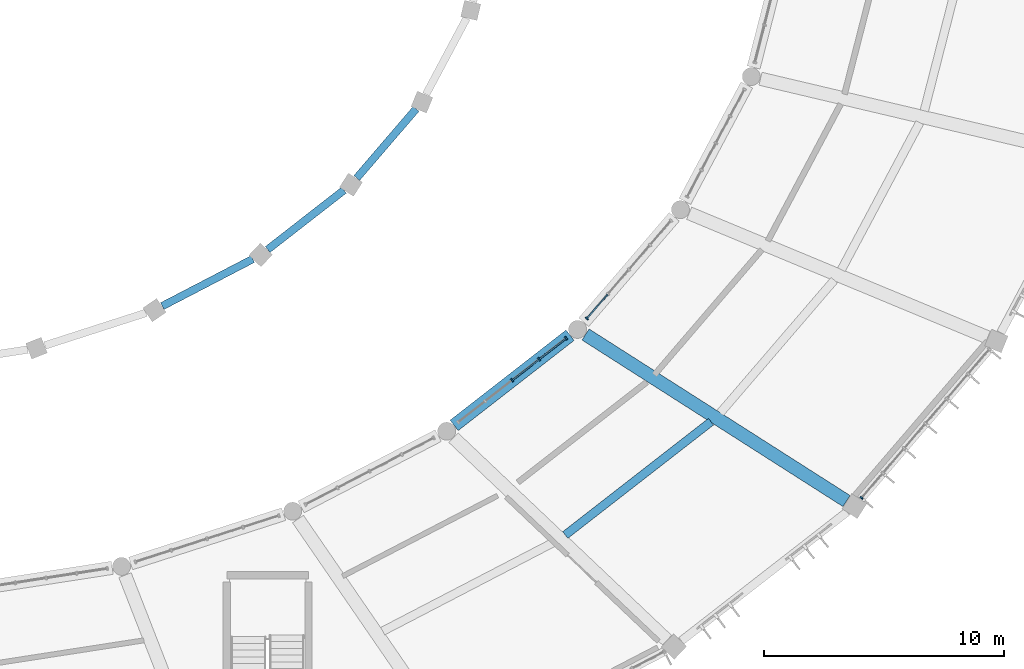
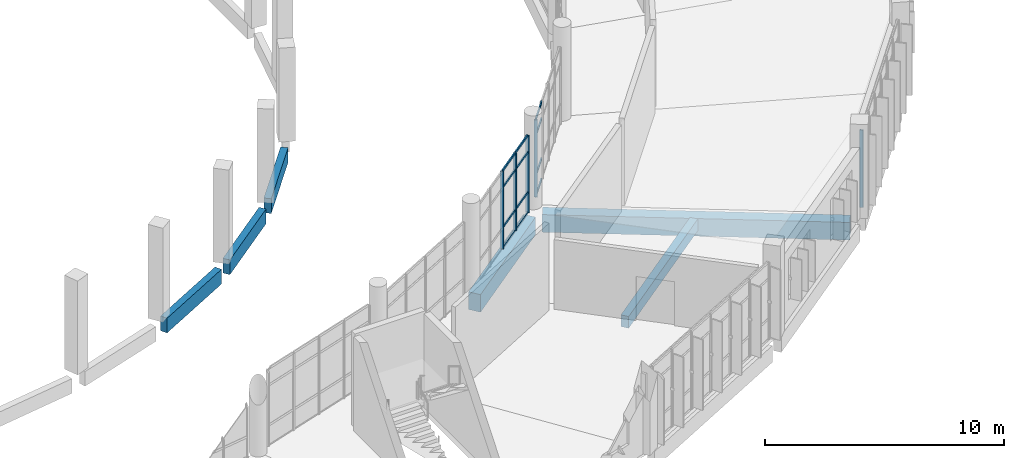
# One storey, part 38 of 179: 17 members, 6 beams, 3 elements without a shape of their own.
"""IFC4 building model written with IfcOpenShell, lengths in metres."""

from ifc_helpers import new_model, si_unit, direction, frame, origin, origin_2d, place, context, subcontext, project, spatial, rectangle, extrude, material, layer, layer_set, material_profile, profile_set, type_object, element, aggregate, save


model = new_model("IFC4")

# Units and contexts
model_context = context("Model", 3, precision=1e-05, world=origin(), true_north=direction((0.0, 1.0)))
body_context = subcontext(model_context, "Body", "Model", "MODEL_VIEW")
ifc_project = project(units=[si_unit("LENGTHUNIT", "METRE"), si_unit("AREAUNIT", "SQUARE_METRE"), si_unit("VOLUMEUNIT", "CUBIC_METRE"), si_unit("PLANEANGLEUNIT", "RADIAN"), si_unit("MASSUNIT", "GRAM", prefix="KILO")], contexts=[model_context])

# Site, building, storey
site_placement = place(None, origin())
site = spatial("IfcSite", under=ifc_project, at=site_placement, CompositionType="ELEMENT")
building_placement = place(site_placement, origin())
building = spatial("IfcBuilding", under=site, at=building_placement, Name="Corvandel Quay Wholesale Market", CompositionType="ELEMENT")
storey_placement = place(building_placement, frame((0.0, 0.0, 6.0)))
storey = spatial("IfcBuildingStorey", under=building, at=storey_placement, Name="L01", CompositionType="ELEMENT", Elevation=6.0)

# Curtain wall, members
ifc_material_1 = material(Name="Bronze anodised aluminium and low-E insulated glazing", Category="aluminium")
ifc_layer_1 = layer(ifc_material_1, 0.18603515625)
ifc_layer_set_1 = layer_set([ifc_layer_1], Name="Bronze anodised aluminium and low-E insulated glazing")
curtain_wall_type_1 = type_object("IfcCurtainWallType", Name="Stick Curtain Wall System CW18 H4620", PredefinedType="NOTDEFINED", material=ifc_layer_set_1)
curtain_wall_1_placement = place(storey_placement, origin())
curtain_wall_1 = element("IfcCurtainWall", 1, at=curtain_wall_1_placement, inside=storey, type_object=curtain_wall_type_1, Name="Curtain Wall CW-0082", PredefinedType="NOTDEFINED")
ifc_material_2 = material(Name="Anodised aluminium 6063-T6", Category="aluminium")
ifc_material_profile_1 = material_profile(ifc_material_2, rectangle(XDim=0.06494140625, YDim=0.14990234375, at=origin_2d()), Name="ALU-MUL-65x150")
ifc_profile_set_1 = profile_set([ifc_material_profile_1], Name="Anodised aluminium 6063-T6")
member_type_1 = type_object("IfcMemberType", Name="Curtain Wall Mullion ML02 65x150", PredefinedType="MULLION", material=ifc_profile_set_1)
member_1_placement = place(storey_placement, frame((141.68359375, 20.468505859375, 0.0), z_axis=(0.0, 0.0, 1.0), x_axis=(0.789405615633, 0.613871952452, 0.0)))
member_1 = element("IfcMember", 2, at=member_1_placement, type_object=member_type_1, Name="Mullion CW-0082-M02", PredefinedType="MULLION", context=body_context, shape_type="SweptSolid", body=[
    extrude(rectangle(XDim=0.06494140625, YDim=0.14990234375, at=origin_2d()), origin(), (0.0, 0.0, 1.0), 3.949951171875),
])
member_2_placement = place(storey_placement, frame((142.809814453125, 21.344482421875, 0.0), z_axis=(0.0, 0.0, 1.0), x_axis=(0.789405615633, 0.613871952452, 0.0)))
member_2 = element("IfcMember", 3, at=member_2_placement, type_object=member_type_1, Name="Mullion CW-0082-M03", PredefinedType="MULLION", context=body_context, shape_type="SweptSolid", body=[
    extrude(rectangle(XDim=0.06494140625, YDim=0.14990234375, at=origin_2d()), origin(), (0.0, 0.0, 1.0), 3.949951171875),
])
member_3_placement = place(storey_placement, frame((143.936279296875, 22.220703125, 0.0), z_axis=(0.0, 0.0, 1.0), x_axis=(0.789405615633, 0.613871952452, 0.0)))
member_3 = element("IfcMember", 4, at=member_3_placement, type_object=member_type_1, Name="Mullion CW-0082-M04", PredefinedType="MULLION", context=body_context, shape_type="SweptSolid", body=[
    extrude(rectangle(XDim=0.06494140625, YDim=0.14990234375, at=origin_2d()), origin(), (0.0, 0.0, 1.0), 3.949951171875),
])

# Curtain wall, member
ifc_layer_2 = layer(ifc_material_1, 0.14990234375)
ifc_layer_set_2 = layer_set([ifc_layer_2], Name="Bronze anodised aluminium and low-E insulated glazing")
curtain_wall_type_2 = type_object("IfcCurtainWallType", Name="Stick Curtain Wall System CW05 H3450", PredefinedType="NOTDEFINED", material=ifc_layer_set_2)
curtain_wall_2_placement = place(storey_placement, origin())
curtain_wall_2 = element("IfcCurtainWall", 5, at=curtain_wall_2_placement, inside=storey, type_object=curtain_wall_type_2, Name="Curtain Wall CW-0085", PredefinedType="NOTDEFINED")
member_4_placement = place(storey_placement, frame((156.23828125, 15.568359375, 0.0), z_axis=(0.0, 0.0, 1.0), x_axis=(0.651568967347, 0.758589401976, 0.0)))
member_4 = element("IfcMember", 6, at=member_4_placement, type_object=member_type_1, Name="Mullion CW-0085-M00", PredefinedType="MULLION", context=body_context, shape_type="SweptSolid", body=[
    extrude(rectangle(XDim=0.06494140625, YDim=0.14990234375, at=origin_2d()), origin(), (0.0, 0.0, 1.0), 3.949951171875),
])
aggregate(curtain_wall_2, [member_4])

ifc_layer_3 = layer(ifc_material_1, 0.197998046875)
ifc_layer_set_3 = layer_set([ifc_layer_3], Name="Bronze anodised aluminium and low-E insulated glazing")
curtain_wall_type_3 = type_object("IfcCurtainWallType", Name="Stick Curtain Wall System CW19 H4710", PredefinedType="NOTDEFINED", material=ifc_layer_set_3)
curtain_wall_3_placement = place(storey_placement, origin())
curtain_wall_3 = element("IfcCurtainWall", 7, at=curtain_wall_3_placement, inside=storey, type_object=curtain_wall_type_3, Name="Curtain Wall CW-0086", PredefinedType="NOTDEFINED")
member_5_placement = place(storey_placement, frame((144.80078125, 23.044189453125, 0.0), z_axis=(0.0, 0.0, 1.0), x_axis=(0.651568967347, 0.758589401976, 0.0)))
member_5 = element("IfcMember", 8, at=member_5_placement, type_object=member_type_1, Name="Mullion CW-0086-M00", PredefinedType="MULLION", context=body_context, shape_type="SweptSolid", body=[
    extrude(rectangle(XDim=0.06494140625, YDim=0.14990234375, at=origin_2d()), origin(), (0.0, 0.0, 1.0), 3.949951171875),
])

# Member
ifc_material_profile_2 = material_profile(ifc_material_2, rectangle(XDim=0.06005859375, YDim=0.110107421875, at=origin_2d()), Name="ALU-TRN-60x110")
ifc_profile_set_2 = profile_set([ifc_material_profile_2], Name="Anodised aluminium 6063-T6")
member_type_2 = type_object("IfcMemberType", Name="Curtain Wall Transom TR02 60x110", PredefinedType="USERDEFINED", material=ifc_profile_set_2)
member_6_placement = place(storey_placement, frame((141.709228515625, 20.488525390625, 0.0), z_axis=(0.789313604412, 0.613990255533, 0.0), x_axis=(-0.613990255533, 0.789313604412, 0.0)))
member_6 = element("IfcMember", 9, at=member_6_placement, type_object=member_type_2, Name="Transom CW-0082-T02-0", ObjectType="TRANSOM", PredefinedType="USERDEFINED", context=body_context, shape_type="SweptSolid", body=[
    extrude(rectangle(XDim=0.06005859375, YDim=0.110107421875, at=origin_2d()), origin(), (0.0, 0.0, 1.0), 1.36181640625),
])

member_7_placement = place(storey_placement, frame((141.709228515625, 20.488525390625, 1.050048828125), z_axis=(0.789313604412, 0.613990255533, 0.0), x_axis=(-0.613990255533, 0.789313604412, 0.0)))
member_7 = element("IfcMember", 10, at=member_7_placement, type_object=member_type_2, Name="Transom CW-0082-T02-1", ObjectType="TRANSOM", PredefinedType="USERDEFINED", context=body_context, shape_type="SweptSolid", body=[
    extrude(rectangle(XDim=0.06005859375, YDim=0.110107421875, at=origin_2d()), origin(), (0.0, 0.0, 1.0), 1.36181640625),
])

member_8_placement = place(storey_placement, frame((141.709228515625, 20.488525390625, 3.10009765625), z_axis=(0.789313604412, 0.613990255533, 0.0), x_axis=(-0.613990255533, 0.789313604412, 0.0)))
member_8 = element("IfcMember", 11, at=member_8_placement, type_object=member_type_2, Name="Transom CW-0082-T02-2", ObjectType="TRANSOM", PredefinedType="USERDEFINED", context=body_context, shape_type="SweptSolid", body=[
    extrude(rectangle(XDim=0.06005859375, YDim=0.110107421875, at=origin_2d()), origin(), (0.0, 0.0, 1.0), 1.36181640625),
])

member_9_placement = place(storey_placement, frame((141.709228515625, 20.488525390625, 3.949951171875), z_axis=(0.789313604412, 0.613990255533, 0.0), x_axis=(-0.613990255533, 0.789313604412, 0.0)))
member_9 = element("IfcMember", 12, at=member_9_placement, type_object=member_type_2, Name="Transom CW-0082-T02-3", ObjectType="TRANSOM", PredefinedType="USERDEFINED", context=body_context, shape_type="SweptSolid", body=[
    extrude(rectangle(XDim=0.06005859375, YDim=0.110107421875, at=origin_2d()), origin(), (0.0, 0.0, 1.0), 1.36181640625),
])

member_10_placement = place(storey_placement, frame((142.835693359375, 21.364501953125, 0.0), z_axis=(0.789313604412, 0.613990255533, 0.0), x_axis=(-0.613990255533, 0.789313604412, 0.0)))
member_10 = element("IfcMember", 13, at=member_10_placement, type_object=member_type_2, Name="Transom CW-0082-T03-0", ObjectType="TRANSOM", PredefinedType="USERDEFINED", context=body_context, shape_type="SweptSolid", body=[
    extrude(rectangle(XDim=0.06005859375, YDim=0.110107421875, at=origin_2d()), origin(), (0.0, 0.0, 1.0), 1.36181640625),
])

member_11_placement = place(storey_placement, frame((142.835693359375, 21.364501953125, 1.050048828125), z_axis=(0.789313604412, 0.613990255533, 0.0), x_axis=(-0.613990255533, 0.789313604412, 0.0)))
member_11 = element("IfcMember", 14, at=member_11_placement, type_object=member_type_2, Name="Transom CW-0082-T03-1", ObjectType="TRANSOM", PredefinedType="USERDEFINED", context=body_context, shape_type="SweptSolid", body=[
    extrude(rectangle(XDim=0.06005859375, YDim=0.110107421875, at=origin_2d()), origin(), (0.0, 0.0, 1.0), 1.36181640625),
])

member_12_placement = place(storey_placement, frame((142.835693359375, 21.364501953125, 3.10009765625), z_axis=(0.789313604412, 0.613990255533, 0.0), x_axis=(-0.613990255533, 0.789313604412, 0.0)))
member_12 = element("IfcMember", 15, at=member_12_placement, type_object=member_type_2, Name="Transom CW-0082-T03-2", ObjectType="TRANSOM", PredefinedType="USERDEFINED", context=body_context, shape_type="SweptSolid", body=[
    extrude(rectangle(XDim=0.06005859375, YDim=0.110107421875, at=origin_2d()), origin(), (0.0, 0.0, 1.0), 1.36181640625),
])

member_13_placement = place(storey_placement, frame((142.835693359375, 21.364501953125, 3.949951171875), z_axis=(0.789313604412, 0.613990255533, 0.0), x_axis=(-0.613990255533, 0.789313604412, 0.0)))
member_13 = element("IfcMember", 16, at=member_13_placement, type_object=member_type_2, Name="Transom CW-0082-T03-3", ObjectType="TRANSOM", PredefinedType="USERDEFINED", context=body_context, shape_type="SweptSolid", body=[
    extrude(rectangle(XDim=0.06005859375, YDim=0.110107421875, at=origin_2d()), origin(), (0.0, 0.0, 1.0), 1.36181640625),
])

aggregate(curtain_wall_1, [member_1, member_2, member_3, member_6, member_7, member_8, member_9, member_10, member_11, member_12, member_13])

member_14_placement = place(storey_placement, frame((144.822021484375, 23.06884765625, 0.0), z_axis=(0.651624309471, 0.758541863911, 0.0), x_axis=(-0.758541863911, 0.651624309471, 0.0)))
member_14 = element("IfcMember", 17, at=member_14_placement, type_object=member_type_2, Name="Transom CW-0086-T00-0", ObjectType="TRANSOM", PredefinedType="USERDEFINED", context=body_context, shape_type="SweptSolid", body=[
    extrude(rectangle(XDim=0.06005859375, YDim=0.110107421875, at=origin_2d()), origin(), (0.0, 0.0, 1.0), 1.27880859375),
])

member_15_placement = place(storey_placement, frame((144.822021484375, 23.06884765625, 1.050048828125), z_axis=(0.651624309471, 0.758541863911, 0.0), x_axis=(-0.758541863911, 0.651624309471, 0.0)))
member_15 = element("IfcMember", 18, at=member_15_placement, type_object=member_type_2, Name="Transom CW-0086-T00-1", ObjectType="TRANSOM", PredefinedType="USERDEFINED", context=body_context, shape_type="SweptSolid", body=[
    extrude(rectangle(XDim=0.06005859375, YDim=0.110107421875, at=origin_2d()), origin(), (0.0, 0.0, 1.0), 1.27880859375),
])

member_16_placement = place(storey_placement, frame((144.822021484375, 23.06884765625, 3.10009765625), z_axis=(0.651624309471, 0.758541863911, 0.0), x_axis=(-0.758541863911, 0.651624309471, 0.0)))
member_16 = element("IfcMember", 19, at=member_16_placement, type_object=member_type_2, Name="Transom CW-0086-T00-2", ObjectType="TRANSOM", PredefinedType="USERDEFINED", context=body_context, shape_type="SweptSolid", body=[
    extrude(rectangle(XDim=0.06005859375, YDim=0.110107421875, at=origin_2d()), origin(), (0.0, 0.0, 1.0), 1.27880859375),
])

member_17_placement = place(storey_placement, frame((144.822021484375, 23.06884765625, 3.949951171875), z_axis=(0.651624309471, 0.758541863911, 0.0), x_axis=(-0.758541863911, 0.651624309471, 0.0)))
member_17 = element("IfcMember", 20, at=member_17_placement, type_object=member_type_2, Name="Transom CW-0086-T00-3", ObjectType="TRANSOM", PredefinedType="USERDEFINED", context=body_context, shape_type="SweptSolid", body=[
    extrude(rectangle(XDim=0.06005859375, YDim=0.110107421875, at=origin_2d()), origin(), (0.0, 0.0, 1.0), 1.27880859375),
])

aggregate(curtain_wall_3, [member_5, member_14, member_15, member_16, member_17])

# Beams
ifc_material_3 = material(Name="Precast concrete C45/55", Category="concrete")
ifc_material_profile_3 = material_profile(ifc_material_3, rectangle(XDim=0.320068359375, YDim=0.75, at=origin_2d()), Name="PC-SPN-320x750")
ifc_profile_set_3 = profile_set([ifc_material_profile_3], Name="Precast concrete C45/55")
beam_type_1 = type_object("IfcBeamType", Name="Pavilion Precast Spandrel SP02 320x750", PredefinedType="SPANDREL", material=ifc_profile_set_3)
beam_1_placement = place(storey_placement, frame((127.1171875, 23.560546875, -0.655029296875), z_axis=(0.88734581097, 0.461104556206, 0.0), x_axis=(-0.461104556206, 0.88734581097, 0.0)))
element("IfcBeam", 21, at=beam_1_placement, inside=storey, type_object=beam_type_1, Name="Beam BM-0326", PredefinedType="SPANDREL", context=body_context, shape_type="SweptSolid", body=[
    extrude(rectangle(XDim=0.320068359375, YDim=0.75, at=origin_2d()), origin(), (0.0, 0.0, 1.0), 4.24365234375),
])
beam_2_placement = place(storey_placement, frame((131.503173828125, 25.9150390625, -0.655029296875), z_axis=(0.78933588498, 0.613961611734, 0.0), x_axis=(-0.613961611734, 0.78933588498, 0.0)))
element("IfcBeam", 22, at=beam_2_placement, inside=storey, type_object=beam_type_1, Name="Beam BM-0338", PredefinedType="SPANDREL", context=body_context, shape_type="SweptSolid", body=[
    extrude(rectangle(XDim=0.320068359375, YDim=0.75, at=origin_2d()), origin(), (0.0, 0.0, 1.0), 4.024658203125),
])
beam_3_placement = place(storey_placement, frame((135.213134765625, 28.893798828125, -0.655029296875), z_axis=(0.651617544781, 0.758547675056, 0.0), x_axis=(-0.758547675056, 0.651617544781, 0.0)))
element("IfcBeam", 23, at=beam_3_placement, inside=storey, type_object=beam_type_1, Name="Beam BM-0350", PredefinedType="SPANDREL", context=body_context, shape_type="SweptSolid", body=[
    extrude(rectangle(XDim=0.320068359375, YDim=0.75, at=origin_2d()), origin(), (0.0, 0.0, 1.0), 3.794677734375),
])
ifc_material_profile_4 = material_profile(ifc_material_3, rectangle(XDim=0.550048828125, YDim=0.89990234375, at=origin_2d()), Name="PC-GIR-550x900")
ifc_profile_set_4 = profile_set([ifc_material_profile_4], Name="Precast concrete C45/55")
beam_type_2 = type_object("IfcBeamType", Name="Produce Hall Radial Girder G03 550x900", PredefinedType="USERDEFINED", material=ifc_profile_set_4)
beam_4_placement = place(storey_placement, frame((139.268798828125, 18.590576171875, -0.75), z_axis=(0.78937585328, 0.613910223288, 0.0), x_axis=(-0.613910223288, 0.78937585328, 0.0)))
element("IfcBeam", 24, at=beam_4_placement, inside=storey, type_object=beam_type_2, Name="Beam BM-0335", ObjectType="GIRDER", PredefinedType="USERDEFINED", context=body_context, shape_type="SweptSolid", body=[
    extrude(rectangle(XDim=0.550048828125, YDim=0.89990234375, at=origin_2d()), origin(), (0.0, 0.0, 1.0), 6.117919921875),
])
beam_5_placement = place(storey_placement, frame((155.612060546875, 15.439453125, -0.75), z_axis=(-0.842948152457, 0.537994806916, 0.0), x_axis=(-0.537994806916, -0.842948152457, 0.0)))
element("IfcBeam", 25, at=beam_5_placement, inside=storey, type_object=beam_type_2, Name="Beam BM-0348", ObjectType="GIRDER", PredefinedType="USERDEFINED", context=body_context, shape_type="SweptSolid", body=[
    extrude(rectangle(XDim=0.550048828125, YDim=0.89990234375, at=origin_2d()), origin(), (0.0, 0.0, 1.0), 12.894287109375),
])
ifc_material_profile_5 = material_profile(ifc_material_3, rectangle(XDim=0.35009765625, YDim=0.60009765625, at=origin_2d()), Name="PC-BM-350x600")
ifc_profile_set_5 = profile_set([ifc_material_profile_5], Name="Precast concrete C45/55")
beam_type_3 = type_object("IfcBeamType", Name="Trading Gallery Secondary Beam B02 350x600", PredefinedType="BEAM", material=ifc_profile_set_5)
beam_6_placement = place(storey_placement, frame((143.899169921875, 14.024658203125, -0.60009765625), z_axis=(0.789333409803, 0.613964793916, 0.0), x_axis=(-0.613964793916, 0.789333409803, 0.0)))
element("IfcBeam", 26, at=beam_6_placement, inside=storey, type_object=beam_type_3, Name="Beam BM-0337", PredefinedType="BEAM", context=body_context, shape_type="SweptSolid", body=[
    extrude(rectangle(XDim=0.35009765625, YDim=0.60009765625, at=origin_2d()), origin(), (0.0, 0.0, 1.0), 7.68896484375),
])

save(model, "model.ifc")
